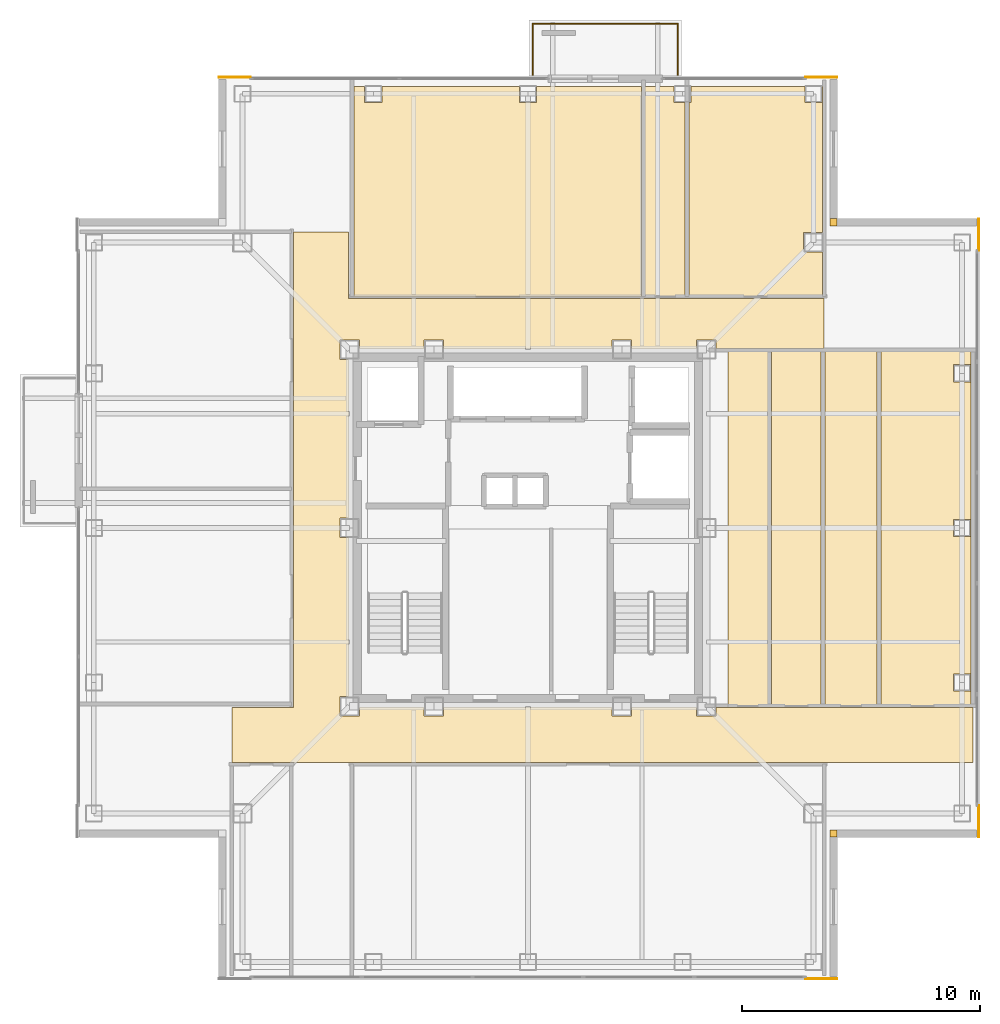
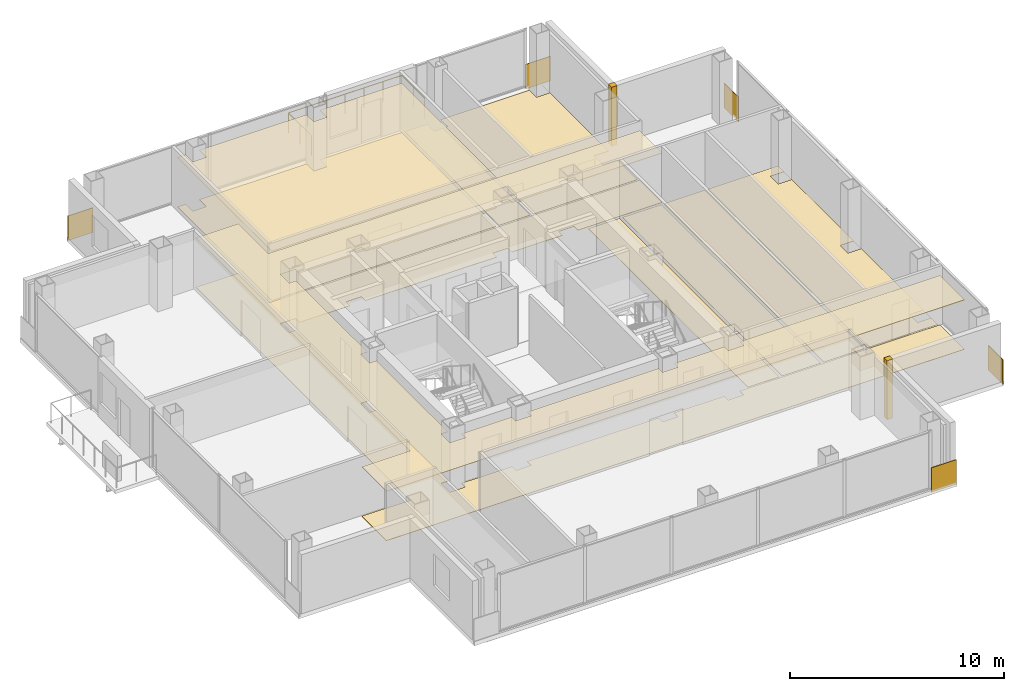
# One storey, part 13 of 13: 17 coverings, 3 railings.
"""IFC4 building model written with IfcOpenShell, lengths in metres."""

from ifc_helpers import new_model, si_unit, direction, frame, frame_2d, origin, origin_2d, place, context, subcontext, project, spatial, polyline, rectangle, circle, outline, extrude, material, layer, layer_set, type_object, element, save


model = new_model("IFC4")

# Units and contexts
model_context = context("Model", 3, precision=1e-05, world=origin(), true_north=direction((0.0, 1.0)))
body_context = subcontext(model_context, "Body", "Model", "MODEL_VIEW")
ifc_project = project(units=[si_unit("LENGTHUNIT", "METRE"), si_unit("AREAUNIT", "SQUARE_METRE"), si_unit("VOLUMEUNIT", "CUBIC_METRE"), si_unit("PLANEANGLEUNIT", "RADIAN"), si_unit("MASSUNIT", "GRAM", prefix="KILO")], contexts=[model_context])

# Site, building, storey
site_placement = place(None, origin())
site = spatial("IfcSite", under=ifc_project, at=site_placement, CompositionType="ELEMENT")
building_placement = place(site_placement, origin())
building = spatial("IfcBuilding", under=site, at=building_placement, Name="Trevonay Congress Spire", CompositionType="ELEMENT")
storey_placement = place(building_placement, frame((0.0, 0.0, 254.0)))
storey = spatial("IfcBuildingStorey", under=building, at=storey_placement, Name="L66", CompositionType="ELEMENT", Elevation=254.0)

# Coverings
ifc_material_1 = material(Name="Acoustic Mineral Fibre Board", Category="gypsum")
ifc_layer_1 = layer(ifc_material_1, 0.02490234375, Name="Acoustic Mineral Fibre Board")
ifc_layer_set_1 = layer_set([ifc_layer_1], Name="Acoustic Mineral Fibre Board")
covering_type_1 = type_object("IfcCoveringType", Name="COV-CEIL-ACOUSTIC", PredefinedType="CEILING", material=ifc_layer_set_1)
covering_1_placement = place(storey_placement, frame((0.0, 0.0, 2.81005859375)))
element("IfcCovering", 1, at=covering_1_placement, inside=storey, type_object=covering_type_1, Name="L66 Cruciform Boulevard Corridor acoustic suspended ceiling", PredefinedType="CEILING", context=body_context, shape_type="SweptSolid", body=[
    extrude(outline(polyline([(18.699951171875, -7.550048828125), (18.699951171875, -9.85009765625), (-12.449951171875, -9.85009765625), (-12.449951171875, -7.550048828125), (-9.85009765625, -7.550048828125), (-9.85009765625, 12.449951171875), (-7.550048828125, 12.449951171875), (-7.550048828125, 9.64990234375), (12.449951171875, 9.64990234375), (12.449951171875, 7.550048828125), (7.909912109375, 7.550048828125), (7.909912109375, 7.909912109375), (7.090087890625, 7.909912109375), (7.090087890625, 7.550048828125), (4.360107421875, 7.550048828125), (4.360107421875, 7.909912109375), (3.5400390625, 7.909912109375), (3.5400390625, 7.550048828125), (-3.5400390625, 7.550048828125), (-3.5400390625, 7.909912109375), (-4.360107421875, 7.909912109375), (-4.360107421875, 7.550048828125), (-7.090087890625, 7.550048828125), (-7.090087890625, 7.909912109375), (-7.909912109375, 7.909912109375), (-7.909912109375, 7.090087890625), (-7.550048828125, 7.090087890625), (-7.550048828125, 0.409912109375), (-7.909912109375, 0.409912109375), (-7.909912109375, -0.409912109375), (-7.550048828125, -0.409912109375), (-7.550048828125, -7.090087890625), (-7.909912109375, -7.090087890625), (-7.909912109375, -7.909912109375), (-7.090087890625, -7.909912109375), (-7.090087890625, -7.550048828125), (-4.360107421875, -7.550048828125), (-4.360107421875, -7.909912109375), (-3.5400390625, -7.909912109375), (-3.5400390625, -7.550048828125), (3.5400390625, -7.550048828125), (3.5400390625, -7.909912109375), (4.360107421875, -7.909912109375), (4.360107421875, -7.550048828125), (7.090087890625, -7.550048828125), (7.090087890625, -7.909912109375), (7.909912109375, -7.909912109375), (7.909912109375, -7.550048828125), (18.699951171875, -7.550048828125)])), origin(), (0.0, 0.0, 1.0), 0.02490234375),
])
covering_2_placement = place(storey_placement, frame((0.0, 0.0, 2.81005859375)))
element("IfcCovering", 2, at=covering_2_placement, inside=storey, type_object=covering_type_1, Name="L66 Sky Cocktail Lounge Bar acoustic suspended ceiling", PredefinedType="CEILING", context=body_context, shape_type="SweptSolid", body=[
    extrude(outline(polyline([(4.77001953125, 18.550048828125), (4.77001953125, 9.72998046875), (-7.320068359375, 9.72998046875), (-7.320068359375, 18.550048828125), (-6.860107421875, 18.550048828125), (-6.860107421875, 17.889892578125), (-6.139892578125, 17.889892578125), (-6.139892578125, 18.550048828125), (-0.360107421875, 18.550048828125), (-0.360107421875, 17.889892578125), (0.360107421875, 17.889892578125), (0.360107421875, 18.550048828125), (4.77001953125, 18.550048828125)])), origin(), (0.0, 0.0, 1.0), 0.02490234375),
])
ifc_material_2 = material(Name="Polished Granite Floor Tile", Category="masonry")
ifc_layer_2 = layer(ifc_material_2, 0.02001953125, Name="Polished Granite Floor Tile")
ifc_layer_set_2 = layer_set([ifc_layer_2], Name="Polished Granite Floor Tile")
covering_type_2 = type_object("IfcCoveringType", Name="COV-FLOOR-STONE", PredefinedType="FLOORING", material=ifc_layer_set_2)
covering_3_placement = place(storey_placement, origin())
element("IfcCovering", 3, at=covering_3_placement, inside=storey, type_object=covering_type_2, Name="L66 Cruciform Boulevard Corridor floor finish", PredefinedType="FLOORING", context=body_context, shape_type="SweptSolid", body=[
    extrude(outline(polyline([(18.699951171875, -7.550048828125), (18.699951171875, -9.85009765625), (-12.449951171875, -9.85009765625), (-12.449951171875, -7.550048828125), (-9.85009765625, -7.550048828125), (-9.85009765625, 12.449951171875), (-7.550048828125, 12.449951171875), (-7.550048828125, 9.64990234375), (12.449951171875, 9.64990234375), (12.449951171875, 7.550048828125), (7.909912109375, 7.550048828125), (7.909912109375, 7.909912109375), (7.090087890625, 7.909912109375), (7.090087890625, 7.550048828125), (4.360107421875, 7.550048828125), (4.360107421875, 7.909912109375), (3.5400390625, 7.909912109375), (3.5400390625, 7.550048828125), (-3.5400390625, 7.550048828125), (-3.5400390625, 7.909912109375), (-4.360107421875, 7.909912109375), (-4.360107421875, 7.550048828125), (-7.090087890625, 7.550048828125), (-7.090087890625, 7.909912109375), (-7.909912109375, 7.909912109375), (-7.909912109375, 7.090087890625), (-7.550048828125, 7.090087890625), (-7.550048828125, 0.409912109375), (-7.909912109375, 0.409912109375), (-7.909912109375, -0.409912109375), (-7.550048828125, -0.409912109375), (-7.550048828125, -7.090087890625), (-7.909912109375, -7.090087890625), (-7.909912109375, -7.909912109375), (-7.090087890625, -7.909912109375), (-7.090087890625, -7.550048828125), (-4.360107421875, -7.550048828125), (-4.360107421875, -7.909912109375), (-3.5400390625, -7.909912109375), (-3.5400390625, -7.550048828125), (3.5400390625, -7.550048828125), (3.5400390625, -7.909912109375), (4.360107421875, -7.909912109375), (4.360107421875, -7.550048828125), (7.090087890625, -7.550048828125), (7.090087890625, -7.909912109375), (7.909912109375, -7.909912109375), (7.909912109375, -7.550048828125), (18.699951171875, -7.550048828125)])), origin(), (0.0, 0.0, 1.0), 0.02001953125),
])
covering_4_placement = place(storey_placement, origin())
element("IfcCovering", 4, at=covering_4_placement, inside=storey, type_object=covering_type_2, Name="L66 Sky Cocktail Lounge Bar floor finish", PredefinedType="FLOORING", context=body_context, shape_type="SweptSolid", body=[
    extrude(outline(polyline([(4.77001953125, 18.550048828125), (4.77001953125, 9.72998046875), (-7.320068359375, 9.72998046875), (-7.320068359375, 18.550048828125), (-6.860107421875, 18.550048828125), (-6.860107421875, 17.889892578125), (-6.139892578125, 17.889892578125), (-6.139892578125, 18.550048828125), (-0.360107421875, 18.550048828125), (-0.360107421875, 17.889892578125), (0.360107421875, 17.889892578125), (0.360107421875, 18.550048828125), (4.77001953125, 18.550048828125)])), origin(), (0.0, 0.0, 1.0), 0.02001953125),
])
covering_5_placement = place(storey_placement, origin())
element("IfcCovering", 5, at=covering_5_placement, inside=storey, type_object=covering_type_2, Name="L66 Accessible WC floor finish", PredefinedType="FLOORING", context=body_context, shape_type="SweptSolid", body=[
    extrude(outline(polyline([(6.60009765625, 9.72998046875), (4.929931640625, 9.72998046875), (4.929931640625, 18.550048828125), (6.139892578125, 18.550048828125), (6.139892578125, 17.889892578125), (6.60009765625, 17.889892578125), (6.60009765625, 9.72998046875)])), origin(), (0.0, 0.0, 1.0), 0.02001953125),
])
covering_6_placement = place(storey_placement, origin())
element("IfcCovering", 6, at=covering_6_placement, inside=storey, type_object=covering_type_2, Name="L66 Floor Supplies and Copy Room floor finish", PredefinedType="FLOORING", context=body_context, shape_type="SweptSolid", body=[
    extrude(outline(polyline([(12.3701171875, 9.72998046875), (6.760009765625, 9.72998046875), (6.760009765625, 17.889892578125), (6.860107421875, 17.889892578125), (6.860107421875, 18.550048828125), (11.639892578125, 18.550048828125), (11.639892578125, 17.889892578125), (12.360107421875, 17.889892578125), (12.360107421875, 18.550048828125), (12.3701171875, 18.550048828125), (12.3701171875, 12.409912109375), (11.590087890625, 12.409912109375), (11.590087890625, 11.590087890625), (12.3701171875, 11.590087890625), (12.3701171875, 9.72998046875)])), origin(), (0.0, 0.0, 1.0), 0.02001953125),
])
covering_7_placement = place(storey_placement, origin())
element("IfcCovering", 7, at=covering_7_placement, inside=storey, type_object=covering_type_2, Name="L66 Female Restroom WC floor finish", PredefinedType="FLOORING", context=body_context, shape_type="SweptSolid", body=[
    extrude(outline(polyline([(8.39990234375, -7.47998046875), (10.080078125, -7.47998046875), (10.080078125, 7.419921875), (8.39990234375, 7.419921875), (8.39990234375, -7.47998046875)])), origin(), (0.0, 0.0, 1.0), 0.02001953125),
])
covering_8_placement = place(storey_placement, origin())
element("IfcCovering", 8, at=covering_8_placement, inside=storey, type_object=covering_type_2, Name="L66 Floor Supplies and Copy Room floor finish", PredefinedType="FLOORING", context=body_context, shape_type="SweptSolid", body=[
    extrude(outline(polyline([(10.239990234375, -7.47998046875), (12.320068359375, -7.47998046875), (12.320068359375, 7.419921875), (10.239990234375, 7.419921875), (10.239990234375, -7.47998046875)])), origin(), (0.0, 0.0, 1.0), 0.02001953125),
])
covering_9_placement = place(storey_placement, origin())
element("IfcCovering", 9, at=covering_9_placement, inside=storey, type_object=covering_type_2, Name="L66 Male Restroom WC floor finish", PredefinedType="FLOORING", context=body_context, shape_type="SweptSolid", body=[
    extrude(outline(polyline([(12.47998046875, -7.47998046875), (14.669921875, -7.47998046875), (14.669921875, 7.419921875), (12.47998046875, 7.419921875), (12.47998046875, -7.47998046875)])), origin(), (0.0, 0.0, 1.0), 0.02001953125),
])
covering_10_placement = place(storey_placement, origin())
element("IfcCovering", 10, at=covering_10_placement, inside=storey, type_object=covering_type_2, Name="L66 Floor Supplies and Copy Room floor finish", PredefinedType="FLOORING", context=body_context, shape_type="SweptSolid", body=[
    extrude(outline(polyline([(14.830078125, 7.419921875), (18.6201171875, 7.419921875), (18.6201171875, -7.47998046875), (14.830078125, -7.47998046875), (14.830078125, 7.419921875)]), holes=[polyline([(17.889892578125, -6.860107421875), (18.610107421875, -6.860107421875), (18.610107421875, -6.139892578125), (17.889892578125, -6.139892578125), (17.889892578125, -6.860107421875)]), polyline([(17.889892578125, 0.360107421875), (17.889892578125, -0.360107421875), (18.610107421875, -0.360107421875), (18.610107421875, 0.360107421875), (17.889892578125, 0.360107421875)]), polyline([(17.889892578125, 6.860107421875), (17.889892578125, 6.139892578125), (18.610107421875, 6.139892578125), (18.610107421875, 6.860107421875), (17.889892578125, 6.860107421875)])]), origin(), (0.0, 0.0, 1.0), 0.02001953125),
])
ifc_material_3 = material(Name="Pale Anodised Aluminium EN AW-6063-T6", Category="aluminium")
ifc_layer_3 = layer(ifc_material_3, 0.0400390625, Name="Pale Anodised Aluminium EN AW-6063-T6")
ifc_layer_set_3 = layer_set([ifc_layer_3], Name="Pale Anodised Aluminium EN AW-6063-T6")
covering_type_3 = type_object("IfcCoveringType", Name="COV-SPANDREL-PALE-METAL", PredefinedType="CLADDING", material=ifc_layer_set_3)
covering_11_placement = place(storey_placement, origin())
element("IfcCovering", 11, at=covering_11_placement, inside=storey, type_object=covering_type_3, Name="L66 SE re-entrant notch corner closure trim", PredefinedType="CLADDING", context=body_context, shape_type="SweptSolid", body=[
    extrude(outline(polyline([(12.699951171875, -13.0), (13.0, -13.0), (13.0, -12.699951171875), (12.699951171875, -12.699951171875), (12.699951171875, -13.0)])), origin(), (0.0, 0.0, 1.0), 3.360107421875),
])
for number, where, z_axis, x_axis, name in (
    (12, (18.93994140625, -11.64990234375, -0.14990234375), (0.0, 0.0, 1.0), (0.0, -1.0, 0.0), "L66 SE corner pier spandrel cladding 1"),
    (13, (11.64990234375, -18.93994140625, -0.14990234375), (0.0, 0.0, 1.0), (1.0, 0.0, 0.0), "L66 SE corner pier spandrel cladding 2"),
):
    element("IfcCovering", number, at=place(storey_placement, frame(where, z_axis=z_axis, x_axis=x_axis)), inside=storey, type_object=covering_type_3, Name=name, PredefinedType="CLADDING", context=body_context, shape_type="SweptSolid", body=[
        extrude(rectangle(XDim=1.35009765625, YDim=0.0400390625, at=frame_2d((0.675048828125, 0.0))), origin(), (0.0, 0.0, 1.0), 1.39990234375),
    ])
covering_12_placement = place(storey_placement, origin())
element("IfcCovering", 14, at=covering_12_placement, inside=storey, type_object=covering_type_3, Name="L66 NE re-entrant notch corner closure trim", PredefinedType="CLADDING", context=body_context, shape_type="SweptSolid", body=[
    extrude(outline(polyline([(12.699951171875, 12.699951171875), (13.0, 12.699951171875), (13.0, 13.0), (12.699951171875, 13.0), (12.699951171875, 12.699951171875)])), origin(), (0.0, 0.0, 1.0), 3.360107421875),
])
for number, where, z_axis, x_axis, name in (
    (15, (18.93994140625, 11.64990234375, -0.14990234375), (0.0, 0.0, 1.0), (0.0, 1.0, 0.0), "L66 NE corner pier spandrel cladding 1"),
    (16, (11.64990234375, 18.93994140625, -0.14990234375), (0.0, 0.0, 1.0), (1.0, 0.0, 0.0), "L66 NE corner pier spandrel cladding 2"),
    (17, (-11.64990234375, 18.93994140625, -0.14990234375), (0.0, 0.0, 1.0), (-1.0, 0.0, 0.0), "L66 NW corner pier spandrel cladding 2"),
):
    element("IfcCovering", number, at=place(storey_placement, frame(where, z_axis=z_axis, x_axis=x_axis)), inside=storey, type_object=covering_type_3, Name=name, PredefinedType="CLADDING", context=body_context, shape_type="SweptSolid", body=[
        extrude(rectangle(XDim=1.35009765625, YDim=0.0400390625, at=frame_2d((0.675048828125, 0.0))), origin(), (0.0, 0.0, 1.0), 1.39990234375),
    ])

# Railings
railing_type = type_object("IfcRailingType", Name="RAL-EXT-GUARD-115", PredefinedType="GUARDRAIL", material=ifc_material_3)
railing_1_placement = place(storey_placement, frame((0.199951171875, 19.050048828125, 0.0)))
element("IfcRailing", 18, at=railing_1_placement, inside=storey, type_object=railing_type, Name="L66 perimeter safety guard GRD-L66-TBAL-N-1", PredefinedType="GUARDRAIL", context=body_context, shape_type="SweptSolid", body=[
    extrude(circle(Radius=0.02392578125, at=origin_2d()), frame((0.0, 0.0, 1.1259765625), z_axis=(0.0, 1.0, 0.0), x_axis=(-1.0, 0.0, 0.0)), (0.0, 0.0, 1.0), 2.14990234375),
    extrude(circle(Radius=0.02099609375, at=origin_2d()), origin(), (0.0, 0.0, 1.0), 1.101806640625),
    extrude(circle(Radius=0.02099609375, at=origin_2d()), frame((0.0, 1.074951171875, 0.0)), (0.0, 0.0, 1.0), 1.101806640625),
    extrude(circle(Radius=0.02099609375, at=origin_2d()), frame((0.0, 2.14990234375, 0.0)), (0.0, 0.0, 1.0), 1.101806640625),
])
railing_2_placement = place(storey_placement, frame((0.199951171875, 21.199951171875, 0.0)))
element("IfcRailing", 19, at=railing_2_placement, inside=storey, type_object=railing_type, Name="L66 perimeter safety guard GRD-L66-TBAL-N-2", PredefinedType="GUARDRAIL", context=body_context, shape_type="SweptSolid", body=[
    extrude(circle(Radius=0.02392578125, at=origin_2d()), frame((0.0, 0.0, 1.1259765625), z_axis=(1.0, 0.0, 0.0), x_axis=(0.0, 1.0, 0.0)), (0.0, 0.0, 1.0), 6.10009765625),
    extrude(circle(Radius=0.02099609375, at=origin_2d()), origin(), (0.0, 0.0, 1.0), 1.101806640625),
    extrude(circle(Radius=0.02099609375, at=origin_2d()), frame((1.0166015625, 0.0, 0.0)), (0.0, 0.0, 1.0), 1.101806640625),
    extrude(circle(Radius=0.02099609375, at=origin_2d()), frame((2.033447265625, 0.0, 0.0)), (0.0, 0.0, 1.0), 1.101806640625),
    extrude(circle(Radius=0.02099609375, at=origin_2d()), frame((3.050048828125, 0.0, 0.0)), (0.0, 0.0, 1.0), 1.101806640625),
    extrude(circle(Radius=0.02099609375, at=origin_2d()), frame((4.066650390625, 0.0, 0.0)), (0.0, 0.0, 1.0), 1.101806640625),
    extrude(circle(Radius=0.02099609375, at=origin_2d()), frame((5.08349609375, 0.0, 0.0)), (0.0, 0.0, 1.0), 1.101806640625),
    extrude(circle(Radius=0.02099609375, at=origin_2d()), frame((6.10009765625, 0.0, 0.0)), (0.0, 0.0, 1.0), 1.101806640625),
])
railing_3_placement = place(storey_placement, frame((6.300048828125, 21.199951171875, 0.0)))
element("IfcRailing", 20, at=railing_3_placement, inside=storey, type_object=railing_type, Name="L66 perimeter safety guard GRD-L66-TBAL-N-3", PredefinedType="GUARDRAIL", context=body_context, shape_type="SweptSolid", body=[
    extrude(circle(Radius=0.02392578125, at=origin_2d()), frame((0.0, 0.0, 1.1259765625), z_axis=(0.0, -1.0, 0.0), x_axis=(1.0, 0.0, 0.0)), (0.0, 0.0, 1.0), 2.14990234375),
    extrude(circle(Radius=0.02099609375, at=origin_2d()), origin(), (0.0, 0.0, 1.0), 1.101806640625),
    extrude(circle(Radius=0.02099609375, at=origin_2d()), frame((0.0, -1.074951171875, 0.0)), (0.0, 0.0, 1.0), 1.101806640625),
    extrude(circle(Radius=0.02099609375, at=origin_2d()), frame((0.0, -2.14990234375, 0.0)), (0.0, 0.0, 1.0), 1.101806640625),
])

save(model, "model.ifc")
